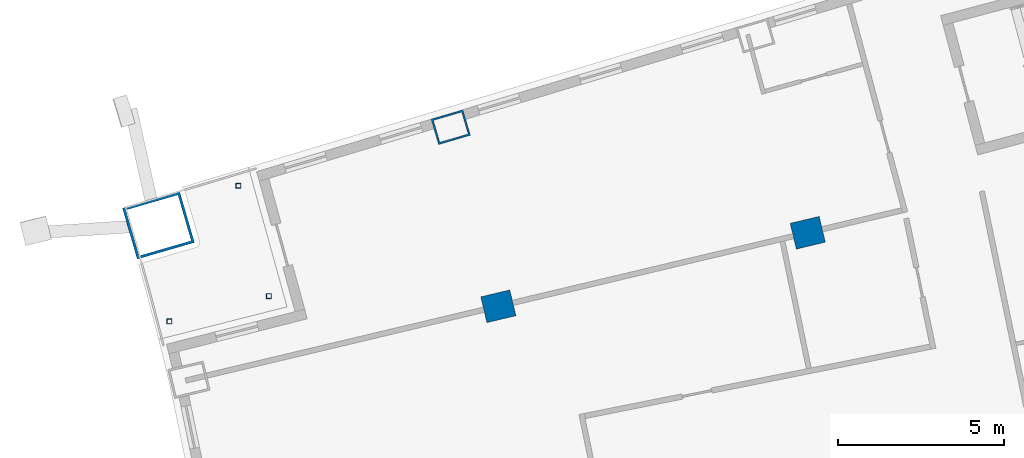
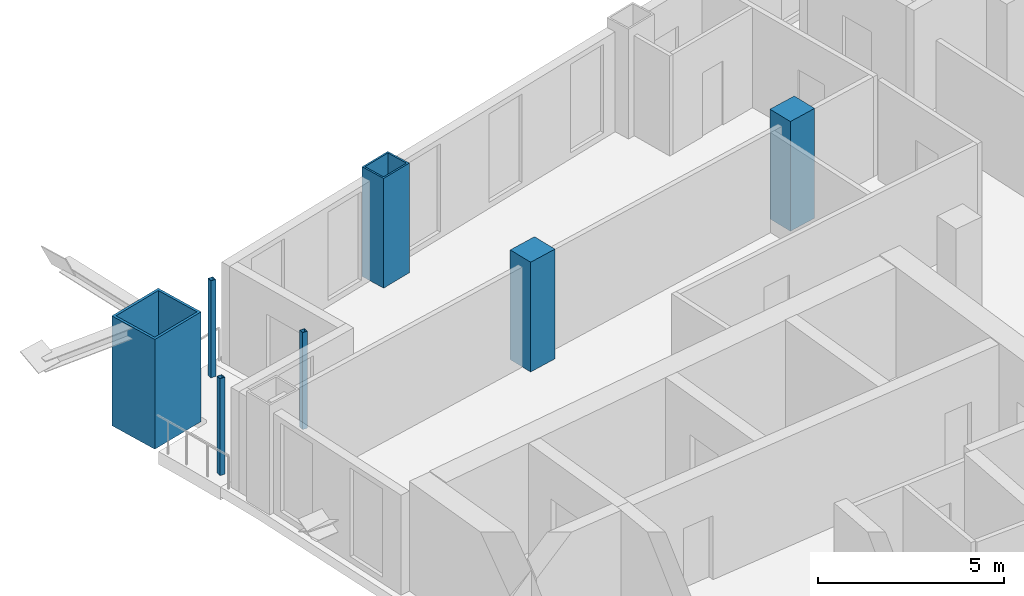
# One storey, part 7 of 22: 7 columns.
"""IFC4 building model written with IfcOpenShell, lengths in metres."""

from ifc_helpers import new_model, si_unit, direction, frame, origin, origin_2d, place, context, subcontext, project, spatial, rectangle, hollow_rectangle, extrude, material, material_profile, profile_set, type_object, element, save


model = new_model("IFC4")

# Units and contexts
model_context = context("Model", 3, precision=1e-05, world=origin(), true_north=direction((0.0, 1.0)))
body_context = subcontext(model_context, "Body", "Model", "MODEL_VIEW")
ifc_project = project(units=[si_unit("LENGTHUNIT", "METRE"), si_unit("AREAUNIT", "SQUARE_METRE"), si_unit("VOLUMEUNIT", "CUBIC_METRE"), si_unit("PLANEANGLEUNIT", "RADIAN"), si_unit("MASSUNIT", "GRAM", prefix="KILO")], contexts=[model_context])

# Site, building, storey
site_placement = place(None, origin())
site = spatial("IfcSite", under=ifc_project, at=site_placement, CompositionType="ELEMENT")
building_placement = place(site_placement, origin())
building = spatial("IfcBuilding", under=site, at=building_placement, Name="Alderwake Tower", CompositionType="ELEMENT")
storey_placement = place(building_placement, frame((0.0, 0.0, 156.800048828125)))
storey = spatial("IfcBuildingStorey", under=building, at=storey_placement, Name="L38", CompositionType="ELEMENT", Elevation=156.800048828125)

# Columns
ifc_material_1 = material(Name="Steel ASTM A572 Grade 50 concrete filled C70/85", Category="concrete")
ifc_material_profile_1 = material_profile(ifc_material_1, hollow_rectangle(XDim=0.800048828125, YDim=1.0, WallThickness=0.054931640625, at=origin_2d()), Name="BOX 1000X800X55")
ifc_profile_set_1 = profile_set([ifc_material_profile_1], Name="Steel ASTM A572 Grade 50 concrete filled C70/85")
column_type_1 = type_object("IfcColumnType", Name="End column Z3", PredefinedType="COLUMN", material=ifc_profile_set_1)
column_1_placement = place(storey_placement, frame((21.885498046875, 90.96240234375, 0.0), z_axis=(0.0, 0.0, 1.0), x_axis=(-0.282132160283, 0.95937554906, 0.0)))
element("IfcColumn", 1, at=column_1_placement, inside=storey, type_object=column_type_1, Name="Column R12-C1", PredefinedType="COLUMN", context=body_context, shape_type="SweptSolid", body=[
    extrude(hollow_rectangle(XDim=0.800048828125, YDim=1.0, WallThickness=0.054931640625, at=origin_2d()), origin(), (0.0, 0.0, 1.0), 3.599853515625),
])
ifc_material_2 = material(Name="Concrete C70/85", Category="concrete")
ifc_material_profile_2 = material_profile(ifc_material_2, rectangle(XDim=0.800048828125, YDim=0.89990234375, at=origin_2d()), Name="RC 900X800")
ifc_profile_set_2 = profile_set([ifc_material_profile_2], Name="Concrete C70/85")
column_type_2 = type_object("IfcColumnType", Name="Interior column Z3", PredefinedType="COLUMN", material=ifc_profile_set_2)
for number, where, z_axis, x_axis, name in (
    (2, (23.322021484375, 85.555908203125, 0.0), (0.0, 0.0, 1.0), (-0.231221547198, 0.972901123502, 0.0), "Column R11-C1"),
    (3, (32.661865234375, 87.775390625, 0.0), (0.0, 0.0, 1.0), (-0.231221547198, 0.972901123502, 0.0), "Column R11-C2"),
):
    element("IfcColumn", number, at=place(storey_placement, frame(where, z_axis=z_axis, x_axis=x_axis)), inside=storey, type_object=column_type_2, Name=name, PredefinedType="COLUMN", context=body_context, shape_type="SweptSolid", body=[
        extrude(rectangle(XDim=0.800048828125, YDim=0.89990234375, at=origin_2d()), origin(), (0.0, 0.0, 1.0), 3.599853515625),
    ])
ifc_material_3 = material(Name="Steel ASTM A500 Grade C", Category="steel")
ifc_material_profile_3 = material_profile(ifc_material_3, hollow_rectangle(XDim=0.15234375, YDim=0.15234375, WallThickness=0.0087890625, at=origin_2d()), Name="HSS6X6X3/8")
ifc_profile_set_3 = profile_set([ifc_material_profile_3], Name="Steel ASTM A500 Grade C")
column_type_3 = type_object("IfcColumnType", Name="Light post HSS6X6X3/8", PredefinedType="COLUMN", material=ifc_profile_set_3)
for number, where, z_axis, x_axis, name in (
    (4, (13.3896484375, 85.103515625, 0.0), (0.0, 0.0, 1.0), (1.0, 0.0, 0.0), "Terrace post RN1"),
    (5, (15.47412109375, 89.194091796875, 0.0), (0.0, 0.0, 1.0), (1.0, 0.0, 0.0), "Terrace post RN2"),
    (6, (16.39501953125, 85.864013671875, 0.0), (0.0, 0.0, 1.0), (1.0, 0.0, 0.0), "Terrace post RN3"),
):
    element("IfcColumn", number, at=place(storey_placement, frame(where, z_axis=z_axis, x_axis=x_axis)), inside=storey, type_object=column_type_3, Name=name, PredefinedType="COLUMN", context=body_context, shape_type="SweptSolid", body=[
        extrude(hollow_rectangle(XDim=0.15234375, YDim=0.15234375, WallThickness=0.0087890625, at=origin_2d()), origin(), (0.0, 0.0, 1.0), 3.179931640625),
    ])
ifc_material_4 = material(Name="Steel ASTM A572 Grade 50 concrete filled C70/85", Category="concrete")
ifc_material_profile_4 = material_profile(ifc_material_4, hollow_rectangle(XDim=1.60009765625, YDim=1.800048828125, WallThickness=0.080078125, at=origin_2d()), Name="BOX 1800X1600X80")
ifc_profile_set_4 = profile_set([ifc_material_profile_4], Name="Steel ASTM A572 Grade 50 concrete filled C70/85")
column_type_4 = type_object("IfcColumnType", Name="Mega column Z3", PredefinedType="COLUMN", material=ifc_profile_set_4)
column_2_placement = place(storey_placement, frame((13.06298828125, 87.99755859375, 0.0), z_axis=(0.0, 0.0, 1.0), x_axis=(-0.278612301868, 0.960403657452, 0.0)))
element("IfcColumn", 7, at=column_2_placement, inside=storey, type_object=column_type_4, Name="Column R12-C0", PredefinedType="COLUMN", context=body_context, shape_type="SweptSolid", body=[
    extrude(hollow_rectangle(XDim=1.60009765625, YDim=1.800048828125, WallThickness=0.080078125, at=origin_2d()), origin(), (0.0, 0.0, 1.0), 3.599853515625),
])

save(model, "model.ifc")
